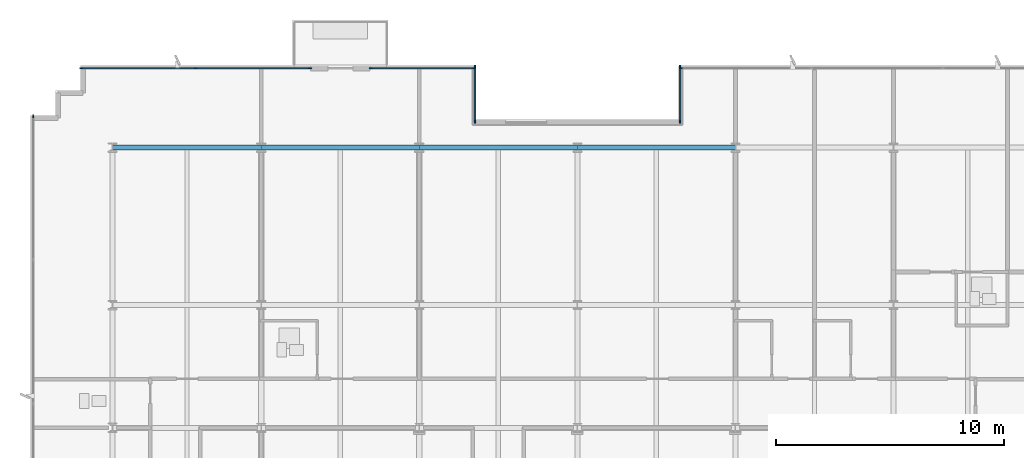
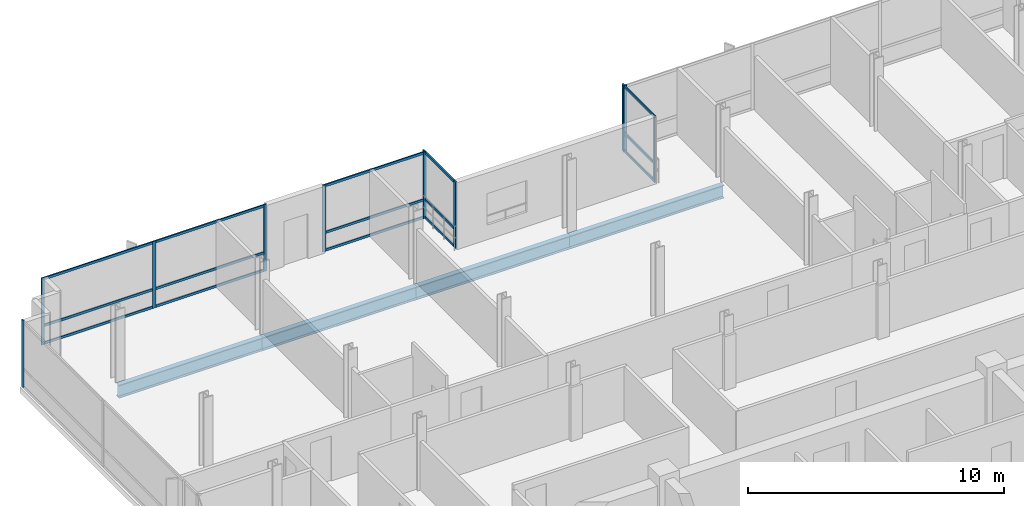
# One storey, part 8 of 17: 26 members, 4 beams, 6 elements without a shape of their own.
"""IFC4 building model written with IfcOpenShell, lengths in metres."""

from ifc_helpers import new_model, si_unit, direction, frame, origin, origin_2d, place, context, subcontext, project, spatial, rectangle, i_section, extrude, material, material_profile, profile_set, type_object, element, aggregate, save


model = new_model("IFC4")

# Units and contexts
model_context = context("Model", 3, precision=1e-05, world=origin(), true_north=direction((0.0, 1.0)))
body_context = subcontext(model_context, "Body", "Model", "MODEL_VIEW")
ifc_project = project(units=[si_unit("LENGTHUNIT", "METRE"), si_unit("AREAUNIT", "SQUARE_METRE"), si_unit("VOLUMEUNIT", "CUBIC_METRE"), si_unit("PLANEANGLEUNIT", "RADIAN"), si_unit("MASSUNIT", "GRAM", prefix="KILO")], contexts=[model_context])

# Site, building, storey
site_placement = place(None, origin())
site = spatial("IfcSite", under=ifc_project, at=site_placement, CompositionType="ELEMENT")
building_placement = place(site_placement, origin())
building = spatial("IfcBuilding", under=site, at=building_placement, Name="Solmavex Isthmus Hotel", CompositionType="ELEMENT")
storey_placement = place(building_placement, frame((0.0, 0.0, 269.550048828125)))
storey = spatial("IfcBuildingStorey", under=building, at=storey_placement, Name="L73", CompositionType="ELEMENT", Elevation=269.550048828125)

# Beams
ifc_material_1 = material(Name="Steel ASTM A992 Grade 50", Category="steel")
ifc_material_profile_1 = material_profile(ifc_material_1, i_section(OverallWidth=0.230224609375, OverallDepth=0.617431640625, WebThickness=0.01318359375, FlangeThickness=0.022216796875, FilletRadius=0.01513671875, at=origin_2d()), Name="W24X94")
ifc_profile_set_1 = profile_set([ifc_material_profile_1], Name="Steel ASTM A992 Grade 50")
beam_type = type_object("IfcBeamType", Name="BM-SP-W24X94", PredefinedType="SPANDREL", material=ifc_profile_set_1)
beam_placement = place(storey_placement, frame((-20.39990234375, 17.699951171875, -0.56884765625), z_axis=(1.0, 0.0, 0.0), x_axis=(0.0, 1.0, 0.0)))
element("IfcBeam", 1, at=beam_placement, inside=storey, type_object=beam_type, Name="Floor Girder L73-UG15", PredefinedType="SPANDREL", context=body_context, shape_type="SweptSolid", body=[
    extrude(i_section(OverallWidth=0.230224609375, OverallDepth=0.617431640625, WebThickness=0.01318359375, FlangeThickness=0.022216796875, FilletRadius=0.01513671875, at=origin_2d()), origin(), (0.0, 0.0, 1.0), 6.52783203125),
])
for number, where, z_axis, x_axis, name in (
    (2, (-13.8720703125, 17.699951171875, -0.56884765625), (1.0, 0.0, 0.0), (0.0, 1.0, 0.0), "Floor Girder L73-UG16"),
    (3, (-6.93603515625, 17.699951171875, -0.56884765625), (1.0, 0.0, 0.0), (0.0, 1.0, 0.0), "Floor Girder L73-UG17"),
    (4, (0.0, 17.699951171875, -0.56884765625), (1.0, 0.0, 0.0), (0.0, 1.0, 0.0), "Floor Girder L73-UG18"),
):
    element("IfcBeam", number, at=place(storey_placement, frame(where, z_axis=z_axis, x_axis=x_axis)), inside=storey, type_object=beam_type, Name=name, PredefinedType="SPANDREL", context=body_context, shape_type="SweptSolid", body=[
        extrude(i_section(OverallWidth=0.230224609375, OverallDepth=0.617431640625, WebThickness=0.01318359375, FlangeThickness=0.022216796875, FilletRadius=0.01513671875, at=origin_2d()), origin(), (0.0, 0.0, 1.0), 6.93603515625),
    ])

# Curtain wall, members
ifc_material_2 = material(Name="Aluminium alloy 6063-T6", Category="aluminium")
curtain_wall_type = type_object("IfcCurtainWallType", Name="CW-SYS-06", PredefinedType="NOTDEFINED", material=ifc_material_2)
curtain_wall_1_placement = place(storey_placement, origin())
curtain_wall_1 = element("IfcCurtainWall", 5, at=curtain_wall_1_placement, inside=storey, type_object=curtain_wall_type, Name="Stick Curtain Wall CWL-L73-SGW", PredefinedType="NOTDEFINED")
ifc_material_profile_2 = material_profile(ifc_material_2, rectangle(XDim=0.06005859375, YDim=0.139892578125, at=origin_2d()), Name="CWM-60X140")
ifc_profile_set_2 = profile_set([ifc_material_profile_2], Name="Aluminium alloy 6063-T6")
member_type_1 = type_object("IfcMemberType", Name="CW-SYS-06-MUL", PredefinedType="MULLION", material=ifc_profile_set_2)
member_1_placement = place(storey_placement, frame((-4.5, 18.830078125, 0.0), z_axis=(0.0, 0.0, 1.0), x_axis=(-1.0, 0.0, 0.0)))
member_1 = element("IfcMember", 6, at=member_1_placement, type_object=member_type_1, Name="CW-06 mullion 1", PredefinedType="MULLION", context=body_context, shape_type="SweptSolid", body=[
    extrude(rectangle(XDim=0.06005859375, YDim=0.139892578125, at=origin_2d()), origin(), (0.0, 0.0, 1.0), 3.18994140625),
])
member_2_placement = place(storey_placement, frame((-4.5, 21.25, 0.0), z_axis=(0.0, 0.0, 1.0), x_axis=(-1.0, 0.0, 0.0)))
member_2 = element("IfcMember", 7, at=member_2_placement, type_object=member_type_1, Name="CW-06 mullion 2", PredefinedType="MULLION", context=body_context, shape_type="SweptSolid", body=[
    extrude(rectangle(XDim=0.06005859375, YDim=0.139892578125, at=origin_2d()), origin(), (0.0, 0.0, 1.0), 3.18994140625),
])

curtain_wall_2_placement = place(storey_placement, origin())
curtain_wall_2 = element("IfcCurtainWall", 8, at=curtain_wall_2_placement, inside=storey, type_object=curtain_wall_type, Name="Stick Curtain Wall CWL-L73-SGE", PredefinedType="NOTDEFINED")
member_3_placement = place(storey_placement, frame((4.5, 18.830078125, 0.0), z_axis=(0.0, 0.0, 1.0), x_axis=(-1.0, 0.0, 0.0)))
member_3 = element("IfcMember", 9, at=member_3_placement, type_object=member_type_1, Name="CW-06 mullion 1", PredefinedType="MULLION", context=body_context, shape_type="SweptSolid", body=[
    extrude(rectangle(XDim=0.06005859375, YDim=0.139892578125, at=origin_2d()), origin(), (0.0, 0.0, 1.0), 3.18994140625),
])
member_4_placement = place(storey_placement, frame((4.5, 21.25, 0.0), z_axis=(0.0, 0.0, 1.0), x_axis=(-1.0, 0.0, 0.0)))
member_4 = element("IfcMember", 10, at=member_4_placement, type_object=member_type_1, Name="CW-06 mullion 2", PredefinedType="MULLION", context=body_context, shape_type="SweptSolid", body=[
    extrude(rectangle(XDim=0.06005859375, YDim=0.139892578125, at=origin_2d()), origin(), (0.0, 0.0, 1.0), 3.18994140625),
])

curtain_wall_3_placement = place(storey_placement, origin())
curtain_wall_3 = element("IfcCurtainWall", 11, at=curtain_wall_3_placement, inside=storey, type_object=curtain_wall_type, Name="Stick Curtain Wall CWL-L73-N1", PredefinedType="NOTDEFINED")
member_5_placement = place(storey_placement, frame((-21.77001953125, 21.179931640625, 0.0), z_axis=(0.0, 0.0, 1.0), x_axis=(0.0, 1.0, 0.0)))
member_5 = element("IfcMember", 12, at=member_5_placement, type_object=member_type_1, Name="CW-06 mullion 1", PredefinedType="MULLION", context=body_context, shape_type="SweptSolid", body=[
    extrude(rectangle(XDim=0.06005859375, YDim=0.139892578125, at=origin_2d()), origin(), (0.0, 0.0, 1.0), 3.18994140625),
])
member_6_placement = place(storey_placement, frame((-16.751953125, 21.179931640625, 0.0), z_axis=(0.0, 0.0, 1.0), x_axis=(0.0, 1.0, 0.0)))
member_6 = element("IfcMember", 13, at=member_6_placement, type_object=member_type_1, Name="CW-06 mullion 2", PredefinedType="MULLION", context=body_context, shape_type="SweptSolid", body=[
    extrude(rectangle(XDim=0.06005859375, YDim=0.139892578125, at=origin_2d()), origin(), (0.0, 0.0, 1.0), 3.18994140625),
])
member_7_placement = place(storey_placement, frame((-11.73388671875, 21.179931640625, 0.0), z_axis=(0.0, 0.0, 1.0), x_axis=(0.0, 1.0, 0.0)))
member_7 = element("IfcMember", 14, at=member_7_placement, type_object=member_type_1, Name="CW-06 mullion 3", PredefinedType="MULLION", context=body_context, shape_type="SweptSolid", body=[
    extrude(rectangle(XDim=0.06005859375, YDim=0.139892578125, at=origin_2d()), origin(), (0.0, 0.0, 1.0), 3.18994140625),
])

curtain_wall_4_placement = place(storey_placement, origin())
curtain_wall_4 = element("IfcCurtainWall", 15, at=curtain_wall_4_placement, inside=storey, type_object=curtain_wall_type, Name="Stick Curtain Wall CWL-L73-N2", PredefinedType="NOTDEFINED")
member_8_placement = place(storey_placement, frame((-9.073974609375, 21.179931640625, 0.0), z_axis=(0.0, 0.0, 1.0), x_axis=(0.0, 1.0, 0.0)))
member_8 = element("IfcMember", 16, at=member_8_placement, type_object=member_type_1, Name="CW-06 mullion 1", PredefinedType="MULLION", context=body_context, shape_type="SweptSolid", body=[
    extrude(rectangle(XDim=0.06005859375, YDim=0.139892578125, at=origin_2d()), origin(), (0.0, 0.0, 1.0), 3.18994140625),
])
member_9_placement = place(storey_placement, frame((-4.530029296875, 21.179931640625, 0.0), z_axis=(0.0, 0.0, 1.0), x_axis=(0.0, 1.0, 0.0)))
member_9 = element("IfcMember", 17, at=member_9_placement, type_object=member_type_1, Name="CW-06 mullion 2", PredefinedType="MULLION", context=body_context, shape_type="SweptSolid", body=[
    extrude(rectangle(XDim=0.06005859375, YDim=0.139892578125, at=origin_2d()), origin(), (0.0, 0.0, 1.0), 3.18994140625),
])

# Curtain wall, member
curtain_wall_5_placement = place(storey_placement, origin())
curtain_wall_5 = element("IfcCurtainWall", 18, at=curtain_wall_5_placement, inside=storey, type_object=curtain_wall_type, Name="Stick Curtain Wall CWL-L73-N3", PredefinedType="NOTDEFINED")
member_10_placement = place(storey_placement, frame((4.530029296875, 21.179931640625, 0.0), z_axis=(0.0, 0.0, 1.0), x_axis=(0.0, 1.0, 0.0)))
member_10 = element("IfcMember", 19, at=member_10_placement, type_object=member_type_1, Name="CW-06 mullion 1", PredefinedType="MULLION", context=body_context, shape_type="SweptSolid", body=[
    extrude(rectangle(XDim=0.06005859375, YDim=0.139892578125, at=origin_2d()), origin(), (0.0, 0.0, 1.0), 3.18994140625),
])
aggregate(curtain_wall_5, [member_10])

curtain_wall_6_placement = place(storey_placement, origin())
curtain_wall_6 = element("IfcCurtainWall", 20, at=curtain_wall_6_placement, inside=storey, type_object=curtain_wall_type, Name="Stick Curtain Wall CWL-L73-W1", PredefinedType="NOTDEFINED")
member_11_placement = place(storey_placement, frame((-23.8798828125, 19.070068359375, 0.0), z_axis=(0.0, 0.0, 1.0), x_axis=(-1.0, 0.0, 0.0)))
member_11 = element("IfcMember", 21, at=member_11_placement, type_object=member_type_1, Name="CW-06 mullion 6", PredefinedType="MULLION", context=body_context, shape_type="SweptSolid", body=[
    extrude(rectangle(XDim=0.06005859375, YDim=0.139892578125, at=origin_2d()), origin(), (0.0, 0.0, 1.0), 3.18994140625),
])
aggregate(curtain_wall_6, [member_11])

# Member
ifc_material_profile_3 = material_profile(ifc_material_2, rectangle(XDim=0.06005859375, YDim=0.114990234375, at=origin_2d()), Name="CWT-60X115")
ifc_profile_set_3 = profile_set([ifc_material_profile_3], Name="Aluminium alloy 6063-T6")
member_type_2 = type_object("IfcMemberType", Name="CW-SYS-06-TRN", PredefinedType="USERDEFINED", material=ifc_profile_set_3)
member_12_placement = place(storey_placement, frame((-4.5, 18.860107421875, 0.057373046875), z_axis=(0.0, 1.0, 0.0), x_axis=(-1.0, 0.0, 0.0)))
member_12 = element("IfcMember", 22, at=member_12_placement, type_object=member_type_2, Name="CW-06 transom 1.1", ObjectType="TRANSOM", PredefinedType="USERDEFINED", context=body_context, shape_type="SweptSolid", body=[
    extrude(rectangle(XDim=0.06005859375, YDim=0.114990234375, at=origin_2d()), origin(), (0.0, 0.0, 1.0), 2.35986328125),
])

member_13_placement = place(storey_placement, frame((-4.5, 18.860107421875, 0.89990234375), z_axis=(0.0, 1.0, 0.0), x_axis=(-1.0, 0.0, 0.0)))
member_13 = element("IfcMember", 23, at=member_13_placement, type_object=member_type_2, Name="CW-06 transom 1.2", ObjectType="TRANSOM", PredefinedType="USERDEFINED", context=body_context, shape_type="SweptSolid", body=[
    extrude(rectangle(XDim=0.06005859375, YDim=0.114990234375, at=origin_2d()), origin(), (0.0, 0.0, 1.0), 2.35986328125),
])

member_14_placement = place(storey_placement, frame((-4.5, 18.860107421875, 3.132568359375), z_axis=(0.0, 1.0, 0.0), x_axis=(-1.0, 0.0, 0.0)))
member_14 = element("IfcMember", 24, at=member_14_placement, type_object=member_type_2, Name="CW-06 transom 1.3", ObjectType="TRANSOM", PredefinedType="USERDEFINED", context=body_context, shape_type="SweptSolid", body=[
    extrude(rectangle(XDim=0.06005859375, YDim=0.114990234375, at=origin_2d()), origin(), (0.0, 0.0, 1.0), 2.35986328125),
])

aggregate(curtain_wall_1, [member_1, member_2, member_12, member_13, member_14])

member_15_placement = place(storey_placement, frame((4.5, 18.860107421875, 0.057373046875), z_axis=(0.0, 1.0, 0.0), x_axis=(-1.0, 0.0, 0.0)))
member_15 = element("IfcMember", 25, at=member_15_placement, type_object=member_type_2, Name="CW-06 transom 1.1", ObjectType="TRANSOM", PredefinedType="USERDEFINED", context=body_context, shape_type="SweptSolid", body=[
    extrude(rectangle(XDim=0.06005859375, YDim=0.114990234375, at=origin_2d()), origin(), (0.0, 0.0, 1.0), 2.35986328125),
])

member_16_placement = place(storey_placement, frame((4.5, 18.860107421875, 0.89990234375), z_axis=(0.0, 1.0, 0.0), x_axis=(-1.0, 0.0, 0.0)))
member_16 = element("IfcMember", 26, at=member_16_placement, type_object=member_type_2, Name="CW-06 transom 1.2", ObjectType="TRANSOM", PredefinedType="USERDEFINED", context=body_context, shape_type="SweptSolid", body=[
    extrude(rectangle(XDim=0.06005859375, YDim=0.114990234375, at=origin_2d()), origin(), (0.0, 0.0, 1.0), 2.35986328125),
])

member_17_placement = place(storey_placement, frame((4.5, 18.860107421875, 3.132568359375), z_axis=(0.0, 1.0, 0.0), x_axis=(-1.0, 0.0, 0.0)))
member_17 = element("IfcMember", 27, at=member_17_placement, type_object=member_type_2, Name="CW-06 transom 1.3", ObjectType="TRANSOM", PredefinedType="USERDEFINED", context=body_context, shape_type="SweptSolid", body=[
    extrude(rectangle(XDim=0.06005859375, YDim=0.114990234375, at=origin_2d()), origin(), (0.0, 0.0, 1.0), 2.35986328125),
])

aggregate(curtain_wall_2, [member_3, member_4, member_15, member_16, member_17])

member_18_placement = place(storey_placement, frame((-21.739990234375, 21.179931640625, 0.057373046875), z_axis=(1.0, 0.0, 0.0), x_axis=(0.0, 1.0, 0.0)))
member_18 = element("IfcMember", 28, at=member_18_placement, type_object=member_type_2, Name="CW-06 transom 1.1", ObjectType="TRANSOM", PredefinedType="USERDEFINED", context=body_context, shape_type="SweptSolid", body=[
    extrude(rectangle(XDim=0.06005859375, YDim=0.114990234375, at=origin_2d()), origin(), (0.0, 0.0, 1.0), 4.9580078125),
])

member_19_placement = place(storey_placement, frame((-21.739990234375, 21.179931640625, 0.89990234375), z_axis=(1.0, 0.0, 0.0), x_axis=(0.0, 1.0, 0.0)))
member_19 = element("IfcMember", 29, at=member_19_placement, type_object=member_type_2, Name="CW-06 transom 1.2", ObjectType="TRANSOM", PredefinedType="USERDEFINED", context=body_context, shape_type="SweptSolid", body=[
    extrude(rectangle(XDim=0.06005859375, YDim=0.114990234375, at=origin_2d()), origin(), (0.0, 0.0, 1.0), 4.9580078125),
])

member_20_placement = place(storey_placement, frame((-21.739990234375, 21.179931640625, 3.132568359375), z_axis=(1.0, 0.0, 0.0), x_axis=(0.0, 1.0, 0.0)))
member_20 = element("IfcMember", 30, at=member_20_placement, type_object=member_type_2, Name="CW-06 transom 1.3", ObjectType="TRANSOM", PredefinedType="USERDEFINED", context=body_context, shape_type="SweptSolid", body=[
    extrude(rectangle(XDim=0.06005859375, YDim=0.114990234375, at=origin_2d()), origin(), (0.0, 0.0, 1.0), 4.9580078125),
])

member_21_placement = place(storey_placement, frame((-16.721923828125, 21.179931640625, 0.057373046875), z_axis=(1.0, 0.0, 0.0), x_axis=(0.0, 1.0, 0.0)))
member_21 = element("IfcMember", 31, at=member_21_placement, type_object=member_type_2, Name="CW-06 transom 2.1", ObjectType="TRANSOM", PredefinedType="USERDEFINED", context=body_context, shape_type="SweptSolid", body=[
    extrude(rectangle(XDim=0.06005859375, YDim=0.114990234375, at=origin_2d()), origin(), (0.0, 0.0, 1.0), 4.9580078125),
])

member_22_placement = place(storey_placement, frame((-16.721923828125, 21.179931640625, 0.89990234375), z_axis=(1.0, 0.0, 0.0), x_axis=(0.0, 1.0, 0.0)))
member_22 = element("IfcMember", 32, at=member_22_placement, type_object=member_type_2, Name="CW-06 transom 2.2", ObjectType="TRANSOM", PredefinedType="USERDEFINED", context=body_context, shape_type="SweptSolid", body=[
    extrude(rectangle(XDim=0.06005859375, YDim=0.114990234375, at=origin_2d()), origin(), (0.0, 0.0, 1.0), 4.9580078125),
])

member_23_placement = place(storey_placement, frame((-16.721923828125, 21.179931640625, 3.132568359375), z_axis=(1.0, 0.0, 0.0), x_axis=(0.0, 1.0, 0.0)))
member_23 = element("IfcMember", 33, at=member_23_placement, type_object=member_type_2, Name="CW-06 transom 2.3", ObjectType="TRANSOM", PredefinedType="USERDEFINED", context=body_context, shape_type="SweptSolid", body=[
    extrude(rectangle(XDim=0.06005859375, YDim=0.114990234375, at=origin_2d()), origin(), (0.0, 0.0, 1.0), 4.9580078125),
])

aggregate(curtain_wall_3, [member_5, member_6, member_7, member_18, member_19, member_20, member_21, member_22, member_23])

member_24_placement = place(storey_placement, frame((-9.0439453125, 21.179931640625, 0.057373046875), z_axis=(1.0, 0.0, 0.0), x_axis=(0.0, 1.0, 0.0)))
member_24 = element("IfcMember", 34, at=member_24_placement, type_object=member_type_2, Name="CW-06 transom 1.1", ObjectType="TRANSOM", PredefinedType="USERDEFINED", context=body_context, shape_type="SweptSolid", body=[
    extrude(rectangle(XDim=0.06005859375, YDim=0.114990234375, at=origin_2d()), origin(), (0.0, 0.0, 1.0), 4.48388671875),
])

member_25_placement = place(storey_placement, frame((-9.0439453125, 21.179931640625, 0.89990234375), z_axis=(1.0, 0.0, 0.0), x_axis=(0.0, 1.0, 0.0)))
member_25 = element("IfcMember", 35, at=member_25_placement, type_object=member_type_2, Name="CW-06 transom 1.2", ObjectType="TRANSOM", PredefinedType="USERDEFINED", context=body_context, shape_type="SweptSolid", body=[
    extrude(rectangle(XDim=0.06005859375, YDim=0.114990234375, at=origin_2d()), origin(), (0.0, 0.0, 1.0), 4.48388671875),
])

member_26_placement = place(storey_placement, frame((-9.0439453125, 21.179931640625, 3.132568359375), z_axis=(1.0, 0.0, 0.0), x_axis=(0.0, 1.0, 0.0)))
member_26 = element("IfcMember", 36, at=member_26_placement, type_object=member_type_2, Name="CW-06 transom 1.3", ObjectType="TRANSOM", PredefinedType="USERDEFINED", context=body_context, shape_type="SweptSolid", body=[
    extrude(rectangle(XDim=0.06005859375, YDim=0.114990234375, at=origin_2d()), origin(), (0.0, 0.0, 1.0), 4.48388671875),
])

aggregate(curtain_wall_4, [member_8, member_9, member_24, member_25, member_26])

save(model, "model.ifc")
